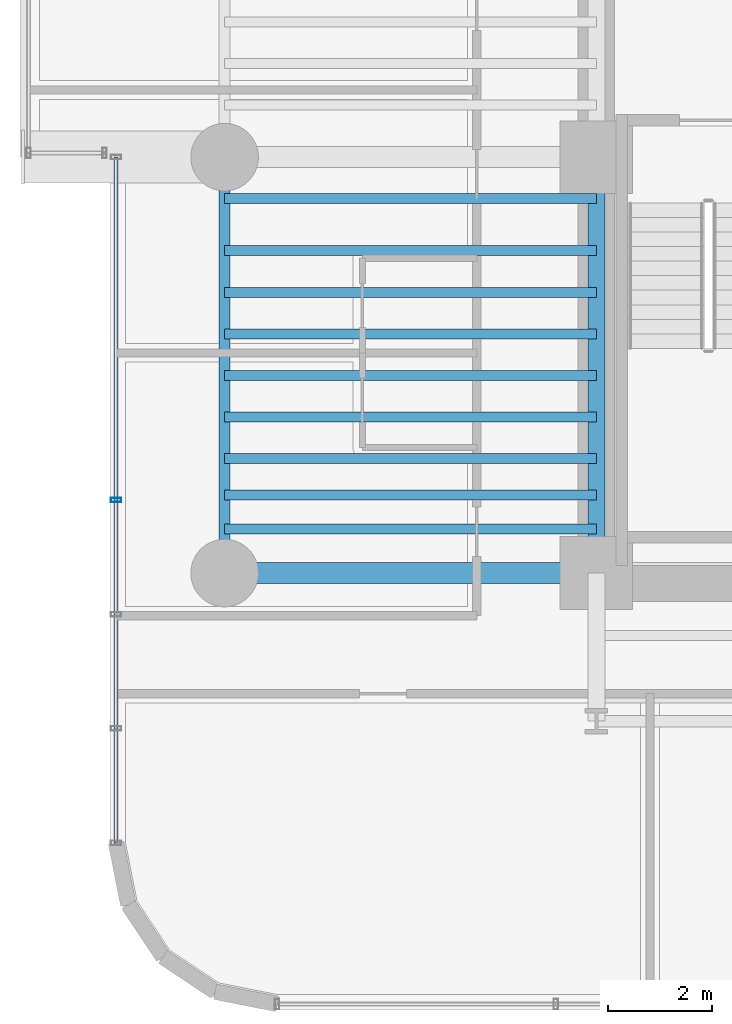
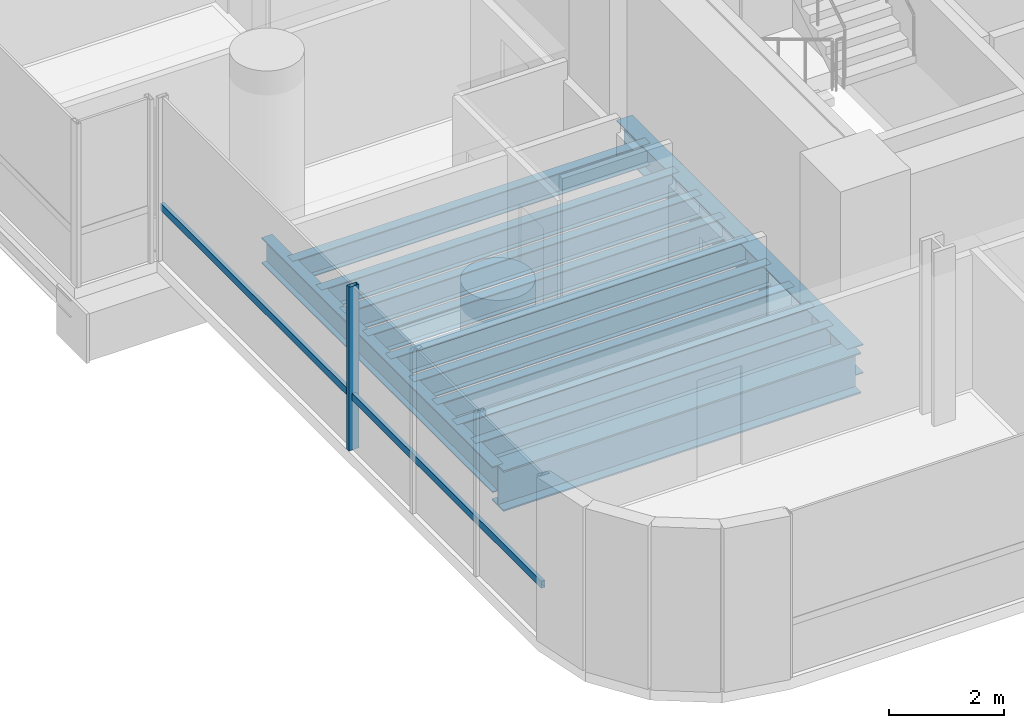
# One storey, part 4 of 39: 12 beams, 2 members, 1 element without a shape of its own.
"""IFC4 building model written with IfcOpenShell, lengths in metres."""

import ifcopenshell
import ifcopenshell.guid

model = None  # the IFC model being written
_history = None  # IfcOwnerHistory: only IFC2X3 demands one
_inside = {}  # id of a spatial element -> (the spatial element, [elements in it])
_under = {}  # id of a project, library or spatial element -> (it, [spatial elements below it])
_declared = {}  # id of a project -> (the project, [libraries it declares])
_typed = {}  # id of a type object -> (the type object, [elements of that type])
_made_of = {}  # id of a material, layer set ... -> (it, [elements and type objects made of it])


def new_model(schema):
    """Start an empty IFC model of exactly this schema.

    Asked for "IFC4X3", IfcOpenShell would pick the latest addendum, in which some entities
    have other attributes; the version numbers below select the first issue.
    IFC2X3 requires an IfcOwnerHistory on every rooted entity: one is made here for all.
    """
    global model, _history
    if schema == "IFC4X3":
        model = ifcopenshell.file(schema_version=(4, 3, 0, 0))
    else:
        model = ifcopenshell.file(schema=schema)
    _inside.clear()
    _under.clear()
    _declared.clear()
    _typed.clear()
    _made_of.clear()
    _history = None
    if model.schema == "IFC2X3":
        org = make("IfcOrganization", Name="unknown")
        user = make(
            "IfcPersonAndOrganization",
            ThePerson=make("IfcPerson", FamilyName="unknown"),
            TheOrganization=org,
        )
        app = make(
            "IfcApplication",
            ApplicationDeveloper=org,
            Version="unknown",
            ApplicationFullName="unknown",
            ApplicationIdentifier="unknown",
        )
        _history = make(
            "IfcOwnerHistory",
            OwningUser=user,
            OwningApplication=app,
            ChangeAction="ADDED",
            CreationDate=0,
        )
    return model


def make(cls, **values):
    """One entity of the class cls with the attributes given. An attribute that is None is left unset."""
    return model.create_entity(
        cls, **{name: value for name, value in values.items() if value is not None}
    )


def rooted(cls, **values):
    """An entity with a GlobalId (a new one), such as an element, a storey or a relation."""
    return make(cls, GlobalId=ifcopenshell.guid.new(), OwnerHistory=_history, **values)


def si_unit(unit_type, name, prefix=None):
    """IfcSIUnit, for example si_unit("LENGTHUNIT", "METRE", prefix="MILLI")."""
    return make("IfcSIUnit", UnitType=unit_type, Prefix=prefix, Name=name)


def assignment(units):
    """IfcUnitAssignment: the units of a project."""
    return None if units is None else make("IfcUnitAssignment", Units=units)


def point(xyz):
    """IfcCartesianPoint."""
    return None if xyz is None else make("IfcCartesianPoint", Coordinates=xyz)


def direction(xyz):
    """IfcDirection."""
    return None if xyz is None else make("IfcDirection", DirectionRatios=xyz)


def frame(location, z_axis=None, x_axis=None):
    """IfcAxis2Placement3D, a coordinate frame: its origin and axes. An axis left out is left unset."""
    return make(
        "IfcAxis2Placement3D",
        Location=point(location),
        Axis=direction(z_axis),
        RefDirection=direction(x_axis),
    )


def frame_2d(location, x_axis=None):
    """IfcAxis2Placement2D, a coordinate frame in the plane: its origin and x axis."""
    return make(
        "IfcAxis2Placement2D", Location=point(location), RefDirection=direction(x_axis)
    )


def origin():
    """The frame at (0, 0, 0) with its axes left unset."""
    return frame((0.0, 0.0, 0.0))


def origin_2d():
    """The frame at (0, 0) in the plane with its x axis left unset."""
    return frame_2d((0.0, 0.0))


def place(relative_to, where):
    """IfcLocalPlacement: puts the frame where relative to a parent placement (None: the world)."""
    return make(
        "IfcLocalPlacement", PlacementRelTo=relative_to, RelativePlacement=where
    )


def context(
    kind, dimensions, precision=None, world=None, true_north=None, identifier=None
):
    """IfcGeometricRepresentationContext, for example the 3D "Model" context."""
    return make(
        "IfcGeometricRepresentationContext",
        ContextIdentifier=identifier,
        ContextType=kind,
        CoordinateSpaceDimension=dimensions,
        Precision=precision,
        WorldCoordinateSystem=world,
        TrueNorth=true_north,
    )


def subcontext(parent, identifier, kind, view, scale=None):
    """IfcGeometricRepresentationSubContext, for example "Body" below "Model"."""
    return make(
        "IfcGeometricRepresentationSubContext",
        ContextIdentifier=identifier,
        ContextType=kind,
        ParentContext=parent,
        TargetScale=scale,
        TargetView=view,
    )


def project(units=None, contexts=None):
    """IfcProject with its units and contexts."""
    return rooted(
        "IfcProject",
        Name="project",
        RepresentationContexts=contexts,
        UnitsInContext=assignment(units),
    )


def spatial(cls, under=None, at=None, **own):
    """A site, building, storey or space (cls), placed at a placement, below another one or the project."""
    s = rooted(cls, ObjectPlacement=at, **own)
    if under is not None:
        _under.setdefault(under.id(), (under, []))[1].append(s)
    return s


def profile(cls, at=None, kind="AREA", **sizes):
    """A parametric profile (cls). Its sizes go by their IFC names, for example OverallWidth=200.0."""
    return make(cls, ProfileType=kind, Position=at, **sizes)


def hollow_rectangle(**sizes):
    """IfcRectangleHollowProfileDef."""
    return profile("IfcRectangleHollowProfileDef", **sizes)


def i_section(**sizes):
    """IfcIShapeProfileDef."""
    return profile("IfcIShapeProfileDef", **sizes)


def extrude(swept, where, along, depth):
    """IfcExtrudedAreaSolid: the profile swept, set in the frame where, extruded along a direction by depth."""
    return make(
        "IfcExtrudedAreaSolid",
        SweptArea=swept,
        Position=where,
        ExtrudedDirection=direction(along),
        Depth=depth,
    )


def shape(context_of_items, identifier, shape_type, items):
    """IfcShapeRepresentation: the items that make up one representation, for example the "Body"."""
    return make(
        "IfcShapeRepresentation",
        ContextOfItems=context_of_items,
        RepresentationIdentifier=identifier,
        RepresentationType=shape_type,
        Items=items,
    )


def source(mapping_origin, context_of_items, identifier, shape_type, items):
    """IfcRepresentationMap: a shape defined once, which mapped items show again and again."""
    return make(
        "IfcRepresentationMap",
        MappingOrigin=mapping_origin,
        MappedRepresentation=shape(context_of_items, identifier, shape_type, items),
    )


def transform(
    local_origin,
    x_axis=None,
    y_axis=None,
    z_axis=None,
    scale=None,
    scale2=None,
    scale3=None,
    uniform=True,
):
    """IfcCartesianTransformationOperator3D, or its non-uniform kind. x_axis, y_axis, z_axis: its Axis1, 2, 3."""
    if uniform:
        return make(
            "IfcCartesianTransformationOperator3D",
            Axis1=direction(x_axis),
            Axis2=direction(y_axis),
            LocalOrigin=point(local_origin),
            Scale=scale,
            Axis3=direction(z_axis),
        )
    return make(
        "IfcCartesianTransformationOperator3DnonUniform",
        Axis1=direction(x_axis),
        Axis2=direction(y_axis),
        LocalOrigin=point(local_origin),
        Scale=scale,
        Axis3=direction(z_axis),
        Scale2=scale2,
        Scale3=scale3,
    )


def mapped(mapping_source, mapping_target):
    """IfcMappedItem: shows the shape of a source again, moved by a transform."""
    return make(
        "IfcMappedItem", MappingSource=mapping_source, MappingTarget=mapping_target
    )


def material(Name=None, Category=None):
    """IfcMaterial."""
    return make("IfcMaterial", Name=Name, Category=Category)


def material_profile(
    of_material, cross_section, Name=None, Category=None, Priority=None
):
    """IfcMaterialProfile: a cross section and its material."""
    return make(
        "IfcMaterialProfile",
        Name=Name,
        Material=of_material,
        Profile=cross_section,
        Priority=Priority,
        Category=Category,
    )


def profile_set(profiles, Name=None, composite=None):
    """IfcMaterialProfileSet."""
    return make(
        "IfcMaterialProfileSet",
        Name=Name,
        MaterialProfiles=profiles,
        CompositeProfile=composite,
    )


def made_of(thing, what):
    """Note that an element or type object is made of a material, layer set ...; save() writes the relation."""
    if what is not None:
        _made_of.setdefault(what.id(), (what, []))[1].append(thing)
    return thing


def type_object(cls, material=None, **own):
    """A type object (cls), such as IfcWallType, which elements share."""
    return made_of(rooted(cls, **own), material)


def element(
    cls,
    number,
    at=None,
    inside=None,
    cuts=None,
    type_object=None,
    material=None,
    context=None,
    identifier="Body",
    shape_type=None,
    held_by="IfcProductDefinitionShape",
    body=None,
    shapes=None,
    **own,
):
    """One element of the class cls, such as IfcWall. Its Tag is "e" and its number.

    at: its placement. inside: the storey or other place that contains it. cuts: it is an
    opening in that element (IfcRelVoidsElement). A single representation is given by context,
    identifier, shape_type and body (its items); several are given by shapes. held_by: the class
    of the entity that holds the representations. save() writes the other relations.
    """
    e = rooted(cls, Tag="e%d" % number, ObjectPlacement=at, **own)
    if body is not None:
        shapes = [shape(context, identifier, shape_type, body)]
    if shapes is not None:
        e.Representation = make(held_by, Representations=shapes)
    if inside is not None:
        _inside.setdefault(inside.id(), (inside, []))[1].append(e)
    if cuts is not None:
        rooted(
            "IfcRelVoidsElement", RelatingBuildingElement=cuts, RelatedOpeningElement=e
        )
    if type_object is not None:
        _typed.setdefault(type_object.id(), (type_object, []))[1].append(e)
    return made_of(e, material)


def aggregate(whole, parts):
    """IfcRelAggregates: a whole, such as a stair, and the parts it consists of."""
    return rooted("IfcRelAggregates", RelatingObject=whole, RelatedObjects=parts)


def save(model, path):
    """Write the relations noted so far, then the file.

    IfcRelAggregates (storeys below a building ...), IfcRelContainedInSpatialStructure (elements
    in a storey), IfcRelDefinesByType, IfcRelAssociatesMaterial and IfcRelDeclares: one each for
    every whole, place, type object, material and project.
    """
    for whole, parts in _under.values():
        aggregate(whole, parts)
    for where, things in _inside.values():
        rooted(
            "IfcRelContainedInSpatialStructure",
            RelatedElements=things,
            RelatingStructure=where,
        )
    for kind, things in _typed.values():
        rooted("IfcRelDefinesByType", RelatedObjects=things, RelatingType=kind)
    for what, things in _made_of.values():
        rooted("IfcRelAssociatesMaterial", RelatedObjects=things, RelatingMaterial=what)
    for by, libraries in _declared.values():
        rooted("IfcRelDeclares", RelatingContext=by, RelatedDefinitions=libraries)
    model.write(path)


model = new_model("IFC4")

# Units and contexts
model_context = context("Model", 3, precision=1e-05, world=origin(), true_north=direction((0.0, 1.0)))
body_context = subcontext(model_context, "Body", "Model", "MODEL_VIEW")
ifc_project = project(units=[si_unit("LENGTHUNIT", "METRE"), si_unit("AREAUNIT", "SQUARE_METRE"), si_unit("VOLUMEUNIT", "CUBIC_METRE"), si_unit("PLANEANGLEUNIT", "RADIAN"), si_unit("MASSUNIT", "GRAM", prefix="KILO")], contexts=[model_context])

# Site, building, storey
site_placement = place(None, origin())
site = spatial("IfcSite", under=ifc_project, at=site_placement, CompositionType="ELEMENT")
building_placement = place(site_placement, origin())
building = spatial("IfcBuilding", under=site, at=building_placement, Name="Valdorenza Pilgrim Sanctuary Tower", CompositionType="ELEMENT")
storey_placement = place(building_placement, frame((0.0, 0.0, 77.800048828125)))
storey = spatial("IfcBuildingStorey", under=building, at=storey_placement, Name="L19", CompositionType="ELEMENT", Elevation=77.800048828125)

# Beams
ifc_material_1 = material(Name="Steel ASTM A992 Grade 50", Category="steel")
ifc_material_profile_1 = material_profile(ifc_material_1, i_section(OverallWidth=0.214111328125, OverallDepth=0.549072265625, WebThickness=0.0146484375, FlangeThickness=0.023681640625, at=origin_2d()), Name="W21X93")
ifc_profile_set_1 = profile_set([ifc_material_profile_1], Name="Steel ASTM A992 Grade 50")
beam_type_1 = type_object("IfcBeamType", Name="STR-BM-SPN-W21A", PredefinedType="SPANDREL", material=ifc_profile_set_1)
shared_shape_1 = source(origin(), body_context, "Body", "SweptSolid", [
    extrude(i_section(OverallWidth=0.214111328125, OverallDepth=0.549072265625, WebThickness=0.0146484375, FlangeThickness=0.023681640625, at=origin_2d()), origin(), (0.0, 0.0, 1.0), 8.0),
])
beam_1_placement = place(storey_placement, frame((-29.800048828125, -10.60009765625, -0.5146484375), z_axis=(0.0, 1.0, 0.0), x_axis=(-1.0, 0.0, 0.0)))
element("IfcBeam", 1, at=beam_1_placement, inside=storey, type_object=beam_type_1, Name="L19 Spandrel Beam WA-W-S1M0", PredefinedType="SPANDREL", context=body_context, shape_type="MappedRepresentation", body=[
    mapped(shared_shape_1, transform((0.0, 0.0, 0.0), x_axis=(1.0, 0.0, 0.0), y_axis=(0.0, 1.0, 0.0), z_axis=(0.0, 0.0, 1.0), scale=1.0)),
])
ifc_material_profile_2 = material_profile(ifc_material_1, i_section(OverallWidth=0.323974609375, OverallDepth=0.611083984375, WebThickness=0.0126953125, FlangeThickness=0.01904296875, at=origin_2d()), Name="W24X104")
ifc_profile_set_2 = profile_set([ifc_material_profile_2], Name="Steel ASTM A992 Grade 50")
beam_type_2 = type_object("IfcBeamType", Name="STR-BM-GRD-W24B", PredefinedType="BEAM", material=ifc_profile_set_2)
shared_shape_2 = source(origin(), body_context, "Body", "SweptSolid", [
    extrude(i_section(OverallWidth=0.323974609375, OverallDepth=0.611083984375, WebThickness=0.0126953125, FlangeThickness=0.01904296875, at=origin_2d()), origin(), (0.0, 0.0, 1.0), 8.0),
])
beam_2_placement = place(storey_placement, frame((-22.64990234375, -10.60009765625, -0.545654296875), z_axis=(0.0, 1.0, 0.0), x_axis=(-1.0, 0.0, 0.0)))
element("IfcBeam", 2, at=beam_2_placement, inside=storey, type_object=beam_type_2, Name="L19 Core Tie Girder CA-W-S1M0", PredefinedType="BEAM", context=body_context, shape_type="MappedRepresentation", body=[
    mapped(shared_shape_2, transform((0.0, 0.0, 0.0), x_axis=(1.0, 0.0, 0.0), y_axis=(0.0, 1.0, 0.0), z_axis=(0.0, 0.0, 1.0), scale=1.0)),
])
ifc_material_profile_3 = material_profile(ifc_material_1, i_section(OverallWidth=0.193115234375, OverallDepth=0.466064453125, WebThickness=0.011474609375, FlangeThickness=0.01904296875, at=origin_2d()), Name="W18X65")
ifc_profile_set_3 = profile_set([ifc_material_profile_3], Name="Steel ASTM A992 Grade 50")
beam_type_3 = type_object("IfcBeamType", Name="STR-BM-JST-W18A", PredefinedType="JOIST", material=ifc_profile_set_3)
shared_shape_3 = source(origin(), body_context, "Body", "SweptSolid", [
    extrude(i_section(OverallWidth=0.193115234375, OverallDepth=0.466064453125, WebThickness=0.011474609375, FlangeThickness=0.01904296875, at=origin_2d()), origin(), (0.0, 0.0, 1.0), 7.150146484375),
])
for number, where, z_axis, x_axis, name in (
    (3, (-29.800048828125, -9.75, -0.47314453125), (1.0, 0.0, 0.0), (0.0, 1.0, 0.0), "L19 Composite Floor Joist JST-WA-1"),
    (4, (-29.800048828125, -9.10009765625, -0.47314453125), (1.0, 0.0, 0.0), (0.0, 1.0, 0.0), "L19 Composite Floor Joist JST-WA-2"),
    (5, (-29.800048828125, -8.39990234375, -0.47314453125), (1.0, 0.0, 0.0), (0.0, 1.0, 0.0), "L19 Composite Floor Joist JST-WA-3"),
    (6, (-29.800048828125, -7.60009765625, -0.47314453125), (1.0, 0.0, 0.0), (0.0, 1.0, 0.0), "L19 Composite Floor Joist JST-WA-4"),
    (7, (-29.800048828125, -6.800048828125, -0.47314453125), (1.0, 0.0, 0.0), (0.0, 1.0, 0.0), "L19 Composite Floor Joist JST-WA-5"),
    (8, (-29.800048828125, -6.0, -0.47314453125), (1.0, 0.0, 0.0), (0.0, 1.0, 0.0), "L19 Composite Floor Joist JST-WA-6"),
    (9, (-29.800048828125, -5.199951171875, -0.47314453125), (1.0, 0.0, 0.0), (0.0, 1.0, 0.0), "L19 Composite Floor Joist JST-WA-7"),
    (10, (-29.800048828125, -4.39990234375, -0.47314453125), (1.0, 0.0, 0.0), (0.0, 1.0, 0.0), "L19 Composite Floor Joist JST-WA-8"),
    (11, (-29.800048828125, -3.39990234375, -0.47314453125), (1.0, 0.0, 0.0), (0.0, 1.0, 0.0), "L19 Composite Floor Joist JST-WA-9"),
):
    element("IfcBeam", number, at=place(storey_placement, frame(where, z_axis=z_axis, x_axis=x_axis)), inside=storey, type_object=beam_type_3, Name=name, PredefinedType="JOIST", context=body_context, shape_type="MappedRepresentation", body=[
        mapped(shared_shape_3, transform((0.0, 0.0, 0.0), x_axis=(1.0, 0.0, 0.0), y_axis=(0.0, 1.0, 0.0), z_axis=(0.0, 0.0, 1.0), scale=1.0)),
    ])
ifc_material_profile_4 = material_profile(ifc_material_1, i_section(OverallWidth=0.39990234375, OverallDepth=0.862060546875, WebThickness=0.019775390625, FlangeThickness=0.032470703125, at=origin_2d()), Name="W33X221")
ifc_profile_set_4 = profile_set([ifc_material_profile_4], Name="Steel ASTM A992 Grade 50")
beam_type_4 = type_object("IfcBeamType", Name="STR-BM-GRD-W33", PredefinedType="BEAM", material=ifc_profile_set_4)
shared_shape_4 = source(origin(), body_context, "Body", "SweptSolid", [
    extrude(i_section(OverallWidth=0.39990234375, OverallDepth=0.862060546875, WebThickness=0.019775390625, FlangeThickness=0.032470703125, at=origin_2d()), origin(), (0.0, 0.0, 1.0), 7.150146484375),
])
beam_3_placement = place(storey_placement, frame((-29.800048828125, -10.60009765625, -0.671142578125), z_axis=(1.0, 0.0, 0.0), x_axis=(0.0, 1.0, 0.0)))
element("IfcBeam", 12, at=beam_3_placement, inside=storey, type_object=beam_type_4, Name="L19 Floor Girder WA-XW-S1", PredefinedType="BEAM", context=body_context, shape_type="MappedRepresentation", body=[
    mapped(shared_shape_4, transform((0.0, 0.0, 0.0), x_axis=(1.0, 0.0, 0.0), y_axis=(0.0, 1.0, 0.0), z_axis=(0.0, 0.0, 1.0), scale=1.0)),
])

# Curtain wall, members
ifc_material_2 = material(Name="Curtain-wall IGU glazing", Category="glass")
curtain_wall_type = type_object("IfcCurtainWallType", Name="CW-SYS-02", PredefinedType="NOTDEFINED", material=ifc_material_2)
curtain_wall_placement = place(storey_placement, origin())
curtain_wall = element("IfcCurtainWall", 13, at=curtain_wall_placement, inside=storey, type_object=curtain_wall_type, Name="L19 Curtain Wall CW-L19-1-1S1", PredefinedType="NOTDEFINED")
ifc_material_3 = material(Name="Anodised aluminium AW-6060", Category="aluminium")
ifc_material_profile_5 = material_profile(ifc_material_3, hollow_rectangle(XDim=0.0849609375, YDim=0.199951171875, WallThickness=0.0048828125, at=origin_2d()), Name="ALU-M 200x85x5")
ifc_profile_set_5 = profile_set([ifc_material_profile_5], Name="Anodised aluminium AW-6060")
member_type_1 = type_object("IfcMemberType", Name="CW-MUL-02", PredefinedType="MULLION", material=ifc_profile_set_5)
shared_shape_5 = source(origin(), body_context, "Body", "SweptSolid", [
    extrude(hollow_rectangle(XDim=0.0849609375, YDim=0.199951171875, WallThickness=0.0048828125, at=origin_2d()), origin(), (0.0, 0.0, 1.0), 3.4599609375),
])
member_1_placement = place(storey_placement, frame((-31.889892578125, -9.194580078125, 0.0), z_axis=(0.0, 0.0, 1.0), x_axis=(0.0, 1.0, 0.0)))
member_1 = element("IfcMember", 14, at=member_1_placement, type_object=member_type_1, Name="CW-L19-1-1S1 Mullion 2", PredefinedType="MULLION", context=body_context, shape_type="MappedRepresentation", body=[
    mapped(shared_shape_5, transform((0.0, 0.0, 0.0), x_axis=(1.0, 0.0, 0.0), y_axis=(0.0, 1.0, 0.0), z_axis=(0.0, 0.0, 1.0), scale=1.0)),
])
ifc_material_profile_6 = material_profile(ifc_material_3, hollow_rectangle(XDim=0.074951171875, YDim=0.14990234375, WallThickness=0.00390625, at=origin_2d()), Name="ALU-T 150x75x4")
ifc_profile_set_6 = profile_set([ifc_material_profile_6], Name="Anodised aluminium AW-6060")
member_type_2 = type_object("IfcMemberType", Name="CW-TRN-02", PredefinedType="USERDEFINED", material=ifc_profile_set_6)
shared_shape_6 = source(origin(), body_context, "Body", "SweptSolid", [
    extrude(hollow_rectangle(XDim=0.074951171875, YDim=0.14990234375, WallThickness=0.00390625, at=origin_2d()), origin(), (0.0, 0.0, 1.0), 13.189208984375),
])
member_2_placement = place(storey_placement, frame((-31.889892578125, -15.789306640625, 1.119873046875), z_axis=(0.0, 1.0, 0.0), x_axis=(-1.0, 0.0, 0.0)))
member_2 = element("IfcMember", 15, at=member_2_placement, type_object=member_type_2, Name="CW-L19-1-1S1 Transom 1", ObjectType="TRANSOM", PredefinedType="USERDEFINED", context=body_context, shape_type="MappedRepresentation", body=[
    mapped(shared_shape_6, transform((0.0, 0.0, 0.0), x_axis=(1.0, 0.0, 0.0), y_axis=(0.0, 1.0, 0.0), z_axis=(0.0, 0.0, 1.0), scale=1.0)),
])
aggregate(curtain_wall, [member_1, member_2])

save(model, "model.ifc")
